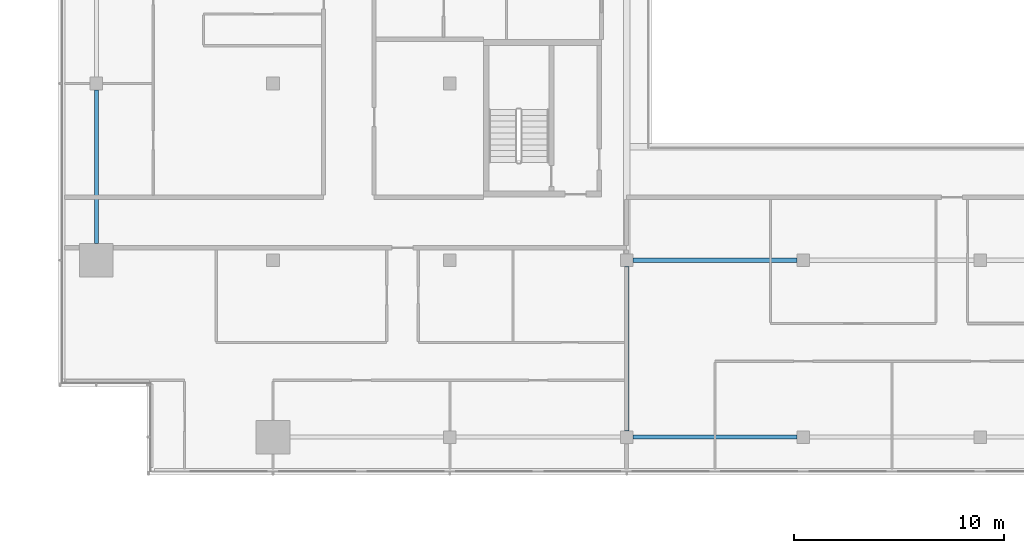
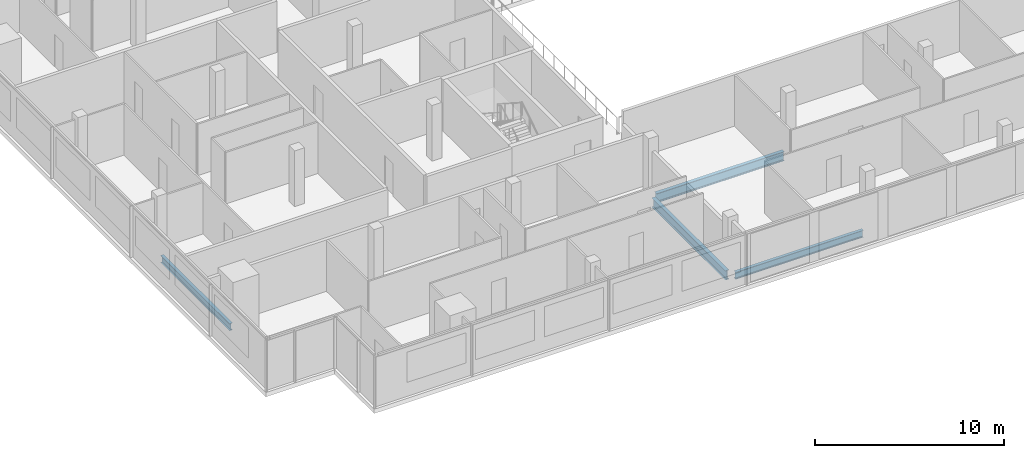
# One storey, part 3 of 30: 4 beams.
"""IFC4 building model written with IfcOpenShell, lengths in metres."""

from ifc_helpers import new_model, si_unit, direction, frame, origin, origin_2d, place, context, subcontext, project, spatial, i_section, extrude, material, material_profile, profile_set, type_object, element, save


model = new_model("IFC4")

# Units and contexts
model_context = context("Model", 3, precision=1e-05, world=origin(), true_north=direction((0.0, 1.0)))
body_context = subcontext(model_context, "Body", "Model", "MODEL_VIEW")
ifc_project = project(units=[si_unit("LENGTHUNIT", "METRE"), si_unit("AREAUNIT", "SQUARE_METRE"), si_unit("VOLUMEUNIT", "CUBIC_METRE"), si_unit("PLANEANGLEUNIT", "RADIAN"), si_unit("MASSUNIT", "GRAM", prefix="KILO")], contexts=[model_context])

# Site, building, storey
site_placement = place(None, origin())
site = spatial("IfcSite", under=ifc_project, at=site_placement, CompositionType="ELEMENT")
building_placement = place(site_placement, origin())
building = spatial("IfcBuilding", under=site, at=building_placement, Name="Saffron Gate Tower", CompositionType="ELEMENT")
storey_placement = place(building_placement, frame((0.0, 0.0, 237.89990234375)))
storey = spatial("IfcBuildingStorey", under=building, at=storey_placement, Name="L58", CompositionType="ELEMENT", Elevation=237.89990234375)

# Beams
ifc_material = material(Name="Structural steel S355", Category="steel")
ifc_material_profile_1 = material_profile(ifc_material, i_section(OverallWidth=0.219970703125, OverallDepth=0.60009765625, WebThickness=0.011962890625, FlangeThickness=0.01904296875, FilletRadius=0.02392578125, at=origin_2d()))
ifc_profile_set_1 = profile_set([ifc_material_profile_1], Name="Structural steel S355")
beam_type_1 = type_object("IfcBeamType", Name="B15 IPE 600", PredefinedType="BEAM", material=ifc_profile_set_1)
beam_1_placement = place(storey_placement, frame((75.0, 32.10009765625, -0.579833984375), z_axis=(0.0, 1.0, 0.0), x_axis=(-1.0, 0.0, 0.0)))
element("IfcBeam", 1, at=beam_1_placement, inside=storey, type_object=beam_type_1, Name="B15 FLOOR GIRDER", PredefinedType="BEAM", context=body_context, shape_type="SweptSolid", body=[
    extrude(i_section(OverallWidth=0.219970703125, OverallDepth=0.60009765625, WebThickness=0.011962890625, FlangeThickness=0.01904296875, FilletRadius=0.02392578125, at=origin_2d()), origin(), (0.0, 0.0, 1.0), 7.7998046875),
])
beam_2_placement = place(storey_placement, frame((75.300048828125, 40.199951171875, -0.579833984375), z_axis=(1.0, 0.0, 0.0), x_axis=(0.0, 1.0, 0.0)))
element("IfcBeam", 2, at=beam_2_placement, inside=storey, type_object=beam_type_1, Name="B15 FLOOR GIRDER", PredefinedType="BEAM", context=body_context, shape_type="SweptSolid", body=[
    extrude(i_section(OverallWidth=0.219970703125, OverallDepth=0.60009765625, WebThickness=0.011962890625, FlangeThickness=0.01904296875, FilletRadius=0.02392578125, at=origin_2d()), origin(), (0.0, 0.0, 1.0), 7.800048828125),
])
ifc_material_profile_2 = material_profile(ifc_material, i_section(OverallWidth=0.18994140625, OverallDepth=0.449951171875, WebThickness=0.009521484375, FlangeThickness=0.0146484375, FilletRadius=0.02099609375, at=origin_2d()))
ifc_profile_set_2 = profile_set([ifc_material_profile_2], Name="Structural steel S355")
beam_type_2 = type_object("IfcBeamType", Name="B7 IPE 450", PredefinedType="SPANDREL", material=ifc_profile_set_2)
beam_3_placement = place(storey_placement, frame((49.800048828125, 41.0, -0.5048828125), z_axis=(0.0, 1.0, 0.0), x_axis=(-1.0, 0.0, 0.0)))
element("IfcBeam", 3, at=beam_3_placement, inside=storey, type_object=beam_type_2, Name="B7 SPANDREL BEAM", PredefinedType="SPANDREL", context=body_context, shape_type="SweptSolid", body=[
    extrude(i_section(OverallWidth=0.18994140625, OverallDepth=0.449951171875, WebThickness=0.009521484375, FlangeThickness=0.0146484375, FilletRadius=0.02099609375, at=origin_2d()), origin(), (0.0, 0.0, 1.0), 7.300048828125),
])
beam_4_placement = place(storey_placement, frame((75.300048828125, 31.800048828125, -0.5048828125), z_axis=(1.0, 0.0, 0.0), x_axis=(0.0, 1.0, 0.0)))
element("IfcBeam", 4, at=beam_4_placement, inside=storey, type_object=beam_type_2, Name="B7 SPANDREL BEAM", PredefinedType="SPANDREL", context=body_context, shape_type="SweptSolid", body=[
    extrude(i_section(OverallWidth=0.18994140625, OverallDepth=0.449951171875, WebThickness=0.009521484375, FlangeThickness=0.0146484375, FilletRadius=0.02099609375, at=origin_2d()), origin(), (0.0, 0.0, 1.0), 7.800048828125),
])

save(model, "model.ifc")
